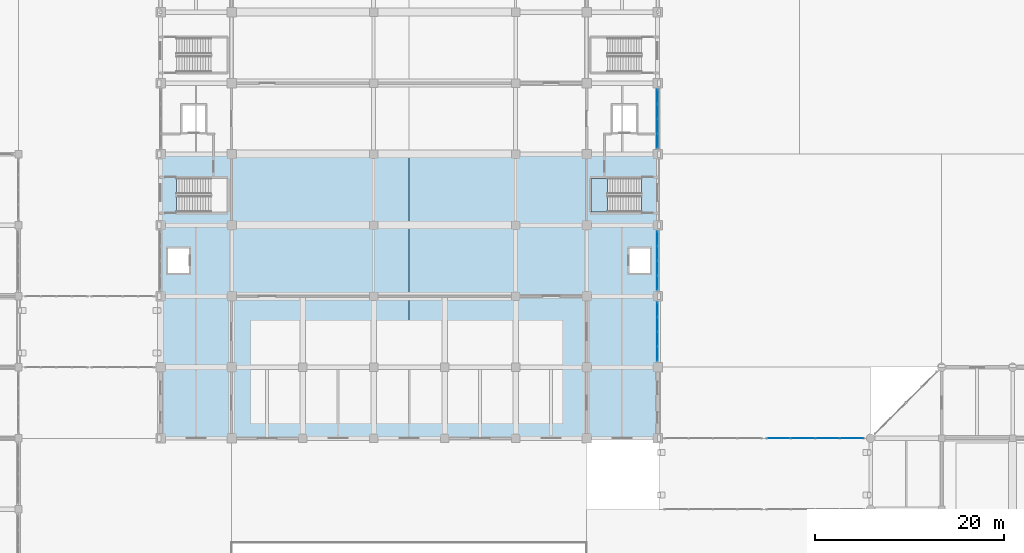
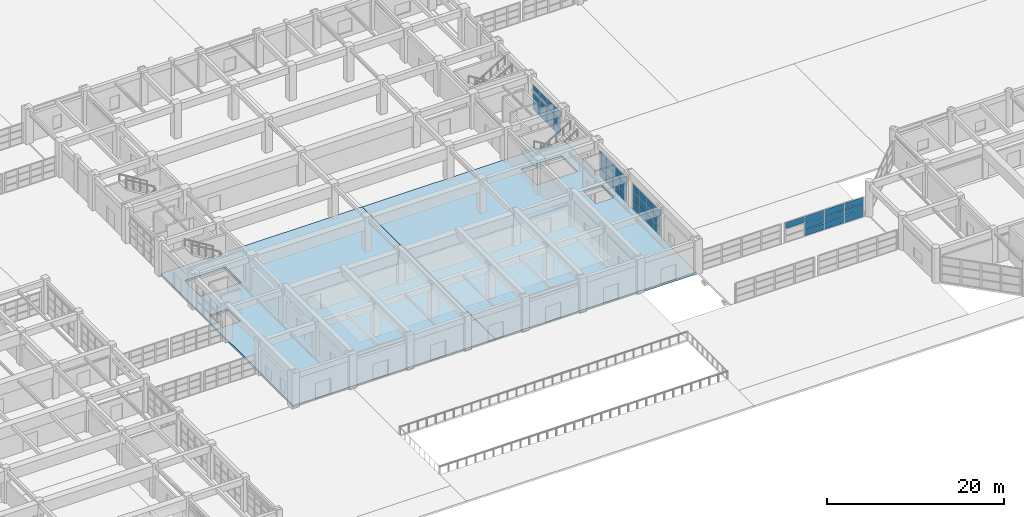
# One storey, part 75 of 122: 46 plates, 3 slabs, 5 elements without a shape of their own.
"""IFC4 building model written with IfcOpenShell, lengths in metres."""

from ifc_helpers import new_model, si_unit, direction, frame, origin, origin_2d, place, context, subcontext, project, spatial, polyline, rectangle, outline, extrude, material, layer, layer_set, type_object, element, aggregate, save


model = new_model("IFC4")

# Units and contexts
model_context = context("Model", 3, precision=1e-05, world=origin(), true_north=direction((0.0, 1.0)))
body_context = subcontext(model_context, "Body", "Model", "MODEL_VIEW")
ifc_project = project(units=[si_unit("LENGTHUNIT", "METRE"), si_unit("AREAUNIT", "SQUARE_METRE"), si_unit("VOLUMEUNIT", "CUBIC_METRE"), si_unit("PLANEANGLEUNIT", "RADIAN"), si_unit("MASSUNIT", "GRAM", prefix="KILO")], contexts=[model_context])

# Site, building, storey
site_placement = place(None, origin())
site = spatial("IfcSite", under=ifc_project, at=site_placement, CompositionType="ELEMENT")
building_placement = place(site_placement, origin())
building = spatial("IfcBuilding", under=site, at=building_placement, Name="Qasida Concert Hall", CompositionType="ELEMENT")
storey_placement = place(building_placement, origin())
storey = spatial("IfcBuildingStorey", under=building, at=storey_placement, Name="L00", CompositionType="ELEMENT", Elevation=0.0)

# Curtain wall, plates
ifc_material_1 = material(Name="Architectural bronze-anodized aluminium and low-E glass", Category="aluminium")
curtain_wall_type_1 = type_object("IfcCurtainWallType", Name="CW-01", PredefinedType="NOTDEFINED", material=ifc_material_1)
curtain_wall_1_placement = place(storey_placement, origin())
curtain_wall_1 = element("IfcCurtainWall", 1, at=curtain_wall_1_placement, inside=storey, type_object=curtain_wall_type_1, Name="L00 curtain wall CW-01 0036", PredefinedType="NOTDEFINED")
ifc_material_2 = material(Name="Solar-control low-E double glazing", Category="glass")
ifc_layer_1 = layer(ifc_material_2, 0.035888671875, Name="Solar-control low-E double glazing")
ifc_layer_set_1 = layer_set([ifc_layer_1], Name="Solar-control low-E double glazing")
plate_type_1 = type_object("IfcPlateType", Name="PLT-CWP-1", PredefinedType="CURTAIN_PANEL", material=ifc_layer_set_1)
plate_1_placement = place(storey_placement, frame((105.0, 31.419921875, 0.06494140625), z_axis=(0.0, 0.0, 1.0), x_axis=(0.0, 1.0, 0.0)))
plate_1 = element("IfcPlate", 2, at=plate_1_placement, type_object=plate_type_1, Name="CW-01 panel 1.1", PredefinedType="CURTAIN_PANEL", context=body_context, shape_type="SweptSolid", body=[
    extrude(rectangle(XDim=1.4599609375, YDim=0.035888671875, at=origin_2d()), origin(), (0.0, 0.0, 1.0), 1.092529296875),
])
plate_2_placement = place(storey_placement, frame((105.0, 31.419921875, 1.222412109375), z_axis=(0.0, 0.0, 1.0), x_axis=(0.0, 1.0, 0.0)))
plate_2 = element("IfcPlate", 3, at=plate_2_placement, type_object=plate_type_1, Name="CW-01 panel 1.2", PredefinedType="CURTAIN_PANEL", context=body_context, shape_type="SweptSolid", body=[
    extrude(rectangle(XDim=1.4599609375, YDim=0.035888671875, at=origin_2d()), origin(), (0.0, 0.0, 1.0), 1.125),
])
plate_3_placement = place(storey_placement, frame((105.0, 31.419921875, 2.41259765625), z_axis=(0.0, 0.0, 1.0), x_axis=(0.0, 1.0, 0.0)))
plate_3 = element("IfcPlate", 4, at=plate_3_placement, type_object=plate_type_1, Name="CW-01 panel 1.3", PredefinedType="CURTAIN_PANEL", context=body_context, shape_type="SweptSolid", body=[
    extrude(rectangle(XDim=1.4599609375, YDim=0.035888671875, at=origin_2d()), origin(), (0.0, 0.0, 1.0), 1.092529296875),
])
plate_4_placement = place(storey_placement, frame((105.0, 32.967529296875, 0.06494140625), z_axis=(0.0, 0.0, 1.0), x_axis=(0.0, 1.0, 0.0)))
plate_4 = element("IfcPlate", 5, at=plate_4_placement, type_object=plate_type_1, Name="CW-01 panel 2.1", PredefinedType="CURTAIN_PANEL", context=body_context, shape_type="SweptSolid", body=[
    extrude(rectangle(XDim=1.4951171875, YDim=0.035888671875, at=origin_2d()), origin(), (0.0, 0.0, 1.0), 1.092529296875),
])
plate_5_placement = place(storey_placement, frame((105.0, 32.967529296875, 1.222412109375), z_axis=(0.0, 0.0, 1.0), x_axis=(0.0, 1.0, 0.0)))
plate_5 = element("IfcPlate", 6, at=plate_5_placement, type_object=plate_type_1, Name="CW-01 panel 2.2", PredefinedType="CURTAIN_PANEL", context=body_context, shape_type="SweptSolid", body=[
    extrude(rectangle(XDim=1.4951171875, YDim=0.035888671875, at=origin_2d()), origin(), (0.0, 0.0, 1.0), 1.125),
])
plate_6_placement = place(storey_placement, frame((105.0, 32.967529296875, 2.41259765625), z_axis=(0.0, 0.0, 1.0), x_axis=(0.0, 1.0, 0.0)))
plate_6 = element("IfcPlate", 7, at=plate_6_placement, type_object=plate_type_1, Name="CW-01 panel 2.3", PredefinedType="CURTAIN_PANEL", context=body_context, shape_type="SweptSolid", body=[
    extrude(rectangle(XDim=1.4951171875, YDim=0.035888671875, at=origin_2d()), origin(), (0.0, 0.0, 1.0), 1.092529296875),
])
plate_7_placement = place(storey_placement, frame((105.0, 34.532470703125, 0.06494140625), z_axis=(0.0, 0.0, 1.0), x_axis=(0.0, 1.0, 0.0)))
plate_7 = element("IfcPlate", 8, at=plate_7_placement, type_object=plate_type_1, Name="CW-01 panel 3.1", PredefinedType="CURTAIN_PANEL", context=body_context, shape_type="SweptSolid", body=[
    extrude(rectangle(XDim=1.4951171875, YDim=0.035888671875, at=origin_2d()), origin(), (0.0, 0.0, 1.0), 1.092529296875),
])
plate_8_placement = place(storey_placement, frame((105.0, 34.532470703125, 1.222412109375), z_axis=(0.0, 0.0, 1.0), x_axis=(0.0, 1.0, 0.0)))
plate_8 = element("IfcPlate", 9, at=plate_8_placement, type_object=plate_type_1, Name="CW-01 panel 3.2", PredefinedType="CURTAIN_PANEL", context=body_context, shape_type="SweptSolid", body=[
    extrude(rectangle(XDim=1.4951171875, YDim=0.035888671875, at=origin_2d()), origin(), (0.0, 0.0, 1.0), 1.125),
])
plate_9_placement = place(storey_placement, frame((105.0, 34.532470703125, 2.41259765625), z_axis=(0.0, 0.0, 1.0), x_axis=(0.0, 1.0, 0.0)))
plate_9 = element("IfcPlate", 10, at=plate_9_placement, type_object=plate_type_1, Name="CW-01 panel 3.3", PredefinedType="CURTAIN_PANEL", context=body_context, shape_type="SweptSolid", body=[
    extrude(rectangle(XDim=1.4951171875, YDim=0.035888671875, at=origin_2d()), origin(), (0.0, 0.0, 1.0), 1.092529296875),
])
plate_10_placement = place(storey_placement, frame((105.0, 36.080078125, 0.06494140625), z_axis=(0.0, 0.0, 1.0), x_axis=(0.0, 1.0, 0.0)))
plate_10 = element("IfcPlate", 11, at=plate_10_placement, type_object=plate_type_1, Name="CW-01 panel 4.1", PredefinedType="CURTAIN_PANEL", context=body_context, shape_type="SweptSolid", body=[
    extrude(rectangle(XDim=1.4599609375, YDim=0.035888671875, at=origin_2d()), origin(), (0.0, 0.0, 1.0), 1.092529296875),
])
plate_11_placement = place(storey_placement, frame((105.0, 36.080078125, 1.222412109375), z_axis=(0.0, 0.0, 1.0), x_axis=(0.0, 1.0, 0.0)))
plate_11 = element("IfcPlate", 12, at=plate_11_placement, type_object=plate_type_1, Name="CW-01 panel 4.2", PredefinedType="CURTAIN_PANEL", context=body_context, shape_type="SweptSolid", body=[
    extrude(rectangle(XDim=1.4599609375, YDim=0.035888671875, at=origin_2d()), origin(), (0.0, 0.0, 1.0), 1.125),
])
plate_12_placement = place(storey_placement, frame((105.0, 36.080078125, 2.41259765625), z_axis=(0.0, 0.0, 1.0), x_axis=(0.0, 1.0, 0.0)))
plate_12 = element("IfcPlate", 13, at=plate_12_placement, type_object=plate_type_1, Name="CW-01 panel 4.3", PredefinedType="CURTAIN_PANEL", context=body_context, shape_type="SweptSolid", body=[
    extrude(rectangle(XDim=1.4599609375, YDim=0.035888671875, at=origin_2d()), origin(), (0.0, 0.0, 1.0), 1.092529296875),
])
aggregate(curtain_wall_1, [plate_1, plate_2, plate_3, plate_4, plate_5, plate_6, plate_7, plate_8, plate_9, plate_10, plate_11, plate_12])

curtain_wall_2_placement = place(storey_placement, origin())
curtain_wall_2 = element("IfcCurtainWall", 14, at=curtain_wall_2_placement, inside=storey, type_object=curtain_wall_type_1, Name="L00 curtain wall CW-01 0038", PredefinedType="NOTDEFINED")
plate_13_placement = place(storey_placement, frame((105.0, 38.919921875, 0.06494140625), z_axis=(0.0, 0.0, 1.0), x_axis=(0.0, 1.0, 0.0)))
plate_13 = element("IfcPlate", 15, at=plate_13_placement, type_object=plate_type_1, Name="CW-01 panel 1.1", PredefinedType="CURTAIN_PANEL", context=body_context, shape_type="SweptSolid", body=[
    extrude(rectangle(XDim=1.4599609375, YDim=0.035888671875, at=origin_2d()), origin(), (0.0, 0.0, 1.0), 1.092529296875),
])
plate_14_placement = place(storey_placement, frame((105.0, 38.919921875, 1.222412109375), z_axis=(0.0, 0.0, 1.0), x_axis=(0.0, 1.0, 0.0)))
plate_14 = element("IfcPlate", 16, at=plate_14_placement, type_object=plate_type_1, Name="CW-01 panel 1.2", PredefinedType="CURTAIN_PANEL", context=body_context, shape_type="SweptSolid", body=[
    extrude(rectangle(XDim=1.4599609375, YDim=0.035888671875, at=origin_2d()), origin(), (0.0, 0.0, 1.0), 1.125),
])
plate_15_placement = place(storey_placement, frame((105.0, 38.919921875, 2.41259765625), z_axis=(0.0, 0.0, 1.0), x_axis=(0.0, 1.0, 0.0)))
plate_15 = element("IfcPlate", 17, at=plate_15_placement, type_object=plate_type_1, Name="CW-01 panel 1.3", PredefinedType="CURTAIN_PANEL", context=body_context, shape_type="SweptSolid", body=[
    extrude(rectangle(XDim=1.4599609375, YDim=0.035888671875, at=origin_2d()), origin(), (0.0, 0.0, 1.0), 1.092529296875),
])
plate_16_placement = place(storey_placement, frame((105.0, 40.467529296875, 0.06494140625), z_axis=(0.0, 0.0, 1.0), x_axis=(0.0, 1.0, 0.0)))
plate_16 = element("IfcPlate", 18, at=plate_16_placement, type_object=plate_type_1, Name="CW-01 panel 2.1", PredefinedType="CURTAIN_PANEL", context=body_context, shape_type="SweptSolid", body=[
    extrude(rectangle(XDim=1.4951171875, YDim=0.035888671875, at=origin_2d()), origin(), (0.0, 0.0, 1.0), 1.092529296875),
])
plate_17_placement = place(storey_placement, frame((105.0, 40.467529296875, 1.222412109375), z_axis=(0.0, 0.0, 1.0), x_axis=(0.0, 1.0, 0.0)))
plate_17 = element("IfcPlate", 19, at=plate_17_placement, type_object=plate_type_1, Name="CW-01 panel 2.2", PredefinedType="CURTAIN_PANEL", context=body_context, shape_type="SweptSolid", body=[
    extrude(rectangle(XDim=1.4951171875, YDim=0.035888671875, at=origin_2d()), origin(), (0.0, 0.0, 1.0), 1.125),
])
plate_18_placement = place(storey_placement, frame((105.0, 40.467529296875, 2.41259765625), z_axis=(0.0, 0.0, 1.0), x_axis=(0.0, 1.0, 0.0)))
plate_18 = element("IfcPlate", 20, at=plate_18_placement, type_object=plate_type_1, Name="CW-01 panel 2.3", PredefinedType="CURTAIN_PANEL", context=body_context, shape_type="SweptSolid", body=[
    extrude(rectangle(XDim=1.4951171875, YDim=0.035888671875, at=origin_2d()), origin(), (0.0, 0.0, 1.0), 1.092529296875),
])
plate_19_placement = place(storey_placement, frame((105.0, 42.032470703125, 0.06494140625), z_axis=(0.0, 0.0, 1.0), x_axis=(0.0, 1.0, 0.0)))
plate_19 = element("IfcPlate", 21, at=plate_19_placement, type_object=plate_type_1, Name="CW-01 panel 3.1", PredefinedType="CURTAIN_PANEL", context=body_context, shape_type="SweptSolid", body=[
    extrude(rectangle(XDim=1.4951171875, YDim=0.035888671875, at=origin_2d()), origin(), (0.0, 0.0, 1.0), 1.092529296875),
])
plate_20_placement = place(storey_placement, frame((105.0, 42.032470703125, 1.222412109375), z_axis=(0.0, 0.0, 1.0), x_axis=(0.0, 1.0, 0.0)))
plate_20 = element("IfcPlate", 22, at=plate_20_placement, type_object=plate_type_1, Name="CW-01 panel 3.2", PredefinedType="CURTAIN_PANEL", context=body_context, shape_type="SweptSolid", body=[
    extrude(rectangle(XDim=1.4951171875, YDim=0.035888671875, at=origin_2d()), origin(), (0.0, 0.0, 1.0), 1.125),
])
plate_21_placement = place(storey_placement, frame((105.0, 42.032470703125, 2.41259765625), z_axis=(0.0, 0.0, 1.0), x_axis=(0.0, 1.0, 0.0)))
plate_21 = element("IfcPlate", 23, at=plate_21_placement, type_object=plate_type_1, Name="CW-01 panel 3.3", PredefinedType="CURTAIN_PANEL", context=body_context, shape_type="SweptSolid", body=[
    extrude(rectangle(XDim=1.4951171875, YDim=0.035888671875, at=origin_2d()), origin(), (0.0, 0.0, 1.0), 1.092529296875),
])
plate_22_placement = place(storey_placement, frame((105.0, 43.580078125, 0.06494140625), z_axis=(0.0, 0.0, 1.0), x_axis=(0.0, 1.0, 0.0)))
plate_22 = element("IfcPlate", 24, at=plate_22_placement, type_object=plate_type_1, Name="CW-01 panel 4.1", PredefinedType="CURTAIN_PANEL", context=body_context, shape_type="SweptSolid", body=[
    extrude(rectangle(XDim=1.4599609375, YDim=0.035888671875, at=origin_2d()), origin(), (0.0, 0.0, 1.0), 1.092529296875),
])
plate_23_placement = place(storey_placement, frame((105.0, 43.580078125, 1.222412109375), z_axis=(0.0, 0.0, 1.0), x_axis=(0.0, 1.0, 0.0)))
plate_23 = element("IfcPlate", 25, at=plate_23_placement, type_object=plate_type_1, Name="CW-01 panel 4.2", PredefinedType="CURTAIN_PANEL", context=body_context, shape_type="SweptSolid", body=[
    extrude(rectangle(XDim=1.4599609375, YDim=0.035888671875, at=origin_2d()), origin(), (0.0, 0.0, 1.0), 1.125),
])
plate_24_placement = place(storey_placement, frame((105.0, 43.580078125, 2.41259765625), z_axis=(0.0, 0.0, 1.0), x_axis=(0.0, 1.0, 0.0)))
plate_24 = element("IfcPlate", 26, at=plate_24_placement, type_object=plate_type_1, Name="CW-01 panel 4.3", PredefinedType="CURTAIN_PANEL", context=body_context, shape_type="SweptSolid", body=[
    extrude(rectangle(XDim=1.4599609375, YDim=0.035888671875, at=origin_2d()), origin(), (0.0, 0.0, 1.0), 1.092529296875),
])
aggregate(curtain_wall_2, [plate_13, plate_14, plate_15, plate_16, plate_17, plate_18, plate_19, plate_20, plate_21, plate_22, plate_23, plate_24])

curtain_wall_3_placement = place(storey_placement, origin())
curtain_wall_3 = element("IfcCurtainWall", 27, at=curtain_wall_3_placement, inside=storey, type_object=curtain_wall_type_1, Name="L00 curtain wall CW-01 0040", PredefinedType="NOTDEFINED")
plate_25_placement = place(storey_placement, frame((105.0, 53.919921875, 0.06494140625), z_axis=(0.0, 0.0, 1.0), x_axis=(0.0, 1.0, 0.0)))
plate_25 = element("IfcPlate", 28, at=plate_25_placement, type_object=plate_type_1, Name="CW-01 panel 1.1", PredefinedType="CURTAIN_PANEL", context=body_context, shape_type="SweptSolid", body=[
    extrude(rectangle(XDim=1.4599609375, YDim=0.035888671875, at=origin_2d()), origin(), (0.0, 0.0, 1.0), 1.092529296875),
])
plate_26_placement = place(storey_placement, frame((105.0, 53.919921875, 1.222412109375), z_axis=(0.0, 0.0, 1.0), x_axis=(0.0, 1.0, 0.0)))
plate_26 = element("IfcPlate", 29, at=plate_26_placement, type_object=plate_type_1, Name="CW-01 panel 1.2", PredefinedType="CURTAIN_PANEL", context=body_context, shape_type="SweptSolid", body=[
    extrude(rectangle(XDim=1.4599609375, YDim=0.035888671875, at=origin_2d()), origin(), (0.0, 0.0, 1.0), 1.125),
])
plate_27_placement = place(storey_placement, frame((105.0, 53.919921875, 2.41259765625), z_axis=(0.0, 0.0, 1.0), x_axis=(0.0, 1.0, 0.0)))
plate_27 = element("IfcPlate", 30, at=plate_27_placement, type_object=plate_type_1, Name="CW-01 panel 1.3", PredefinedType="CURTAIN_PANEL", context=body_context, shape_type="SweptSolid", body=[
    extrude(rectangle(XDim=1.4599609375, YDim=0.035888671875, at=origin_2d()), origin(), (0.0, 0.0, 1.0), 1.092529296875),
])
plate_28_placement = place(storey_placement, frame((105.0, 55.467529296875, 0.06494140625), z_axis=(0.0, 0.0, 1.0), x_axis=(0.0, 1.0, 0.0)))
plate_28 = element("IfcPlate", 31, at=plate_28_placement, type_object=plate_type_1, Name="CW-01 panel 2.1", PredefinedType="CURTAIN_PANEL", context=body_context, shape_type="SweptSolid", body=[
    extrude(rectangle(XDim=1.4951171875, YDim=0.035888671875, at=origin_2d()), origin(), (0.0, 0.0, 1.0), 1.092529296875),
])
plate_29_placement = place(storey_placement, frame((105.0, 55.467529296875, 1.222412109375), z_axis=(0.0, 0.0, 1.0), x_axis=(0.0, 1.0, 0.0)))
plate_29 = element("IfcPlate", 32, at=plate_29_placement, type_object=plate_type_1, Name="CW-01 panel 2.2", PredefinedType="CURTAIN_PANEL", context=body_context, shape_type="SweptSolid", body=[
    extrude(rectangle(XDim=1.4951171875, YDim=0.035888671875, at=origin_2d()), origin(), (0.0, 0.0, 1.0), 1.125),
])
plate_30_placement = place(storey_placement, frame((105.0, 55.467529296875, 2.41259765625), z_axis=(0.0, 0.0, 1.0), x_axis=(0.0, 1.0, 0.0)))
plate_30 = element("IfcPlate", 33, at=plate_30_placement, type_object=plate_type_1, Name="CW-01 panel 2.3", PredefinedType="CURTAIN_PANEL", context=body_context, shape_type="SweptSolid", body=[
    extrude(rectangle(XDim=1.4951171875, YDim=0.035888671875, at=origin_2d()), origin(), (0.0, 0.0, 1.0), 1.092529296875),
])
plate_31_placement = place(storey_placement, frame((105.0, 57.032470703125, 0.06494140625), z_axis=(0.0, 0.0, 1.0), x_axis=(0.0, 1.0, 0.0)))
plate_31 = element("IfcPlate", 34, at=plate_31_placement, type_object=plate_type_1, Name="CW-01 panel 3.1", PredefinedType="CURTAIN_PANEL", context=body_context, shape_type="SweptSolid", body=[
    extrude(rectangle(XDim=1.4951171875, YDim=0.035888671875, at=origin_2d()), origin(), (0.0, 0.0, 1.0), 1.092529296875),
])
plate_32_placement = place(storey_placement, frame((105.0, 57.032470703125, 1.222412109375), z_axis=(0.0, 0.0, 1.0), x_axis=(0.0, 1.0, 0.0)))
plate_32 = element("IfcPlate", 35, at=plate_32_placement, type_object=plate_type_1, Name="CW-01 panel 3.2", PredefinedType="CURTAIN_PANEL", context=body_context, shape_type="SweptSolid", body=[
    extrude(rectangle(XDim=1.4951171875, YDim=0.035888671875, at=origin_2d()), origin(), (0.0, 0.0, 1.0), 1.125),
])
plate_33_placement = place(storey_placement, frame((105.0, 57.032470703125, 2.41259765625), z_axis=(0.0, 0.0, 1.0), x_axis=(0.0, 1.0, 0.0)))
plate_33 = element("IfcPlate", 36, at=plate_33_placement, type_object=plate_type_1, Name="CW-01 panel 3.3", PredefinedType="CURTAIN_PANEL", context=body_context, shape_type="SweptSolid", body=[
    extrude(rectangle(XDim=1.4951171875, YDim=0.035888671875, at=origin_2d()), origin(), (0.0, 0.0, 1.0), 1.092529296875),
])
plate_34_placement = place(storey_placement, frame((105.0, 58.580078125, 0.06494140625), z_axis=(0.0, 0.0, 1.0), x_axis=(0.0, 1.0, 0.0)))
plate_34 = element("IfcPlate", 37, at=plate_34_placement, type_object=plate_type_1, Name="CW-01 panel 4.1", PredefinedType="CURTAIN_PANEL", context=body_context, shape_type="SweptSolid", body=[
    extrude(rectangle(XDim=1.4599609375, YDim=0.035888671875, at=origin_2d()), origin(), (0.0, 0.0, 1.0), 1.092529296875),
])
plate_35_placement = place(storey_placement, frame((105.0, 58.580078125, 1.222412109375), z_axis=(0.0, 0.0, 1.0), x_axis=(0.0, 1.0, 0.0)))
plate_35 = element("IfcPlate", 38, at=plate_35_placement, type_object=plate_type_1, Name="CW-01 panel 4.2", PredefinedType="CURTAIN_PANEL", context=body_context, shape_type="SweptSolid", body=[
    extrude(rectangle(XDim=1.4599609375, YDim=0.035888671875, at=origin_2d()), origin(), (0.0, 0.0, 1.0), 1.125),
])
plate_36_placement = place(storey_placement, frame((105.0, 58.580078125, 2.41259765625), z_axis=(0.0, 0.0, 1.0), x_axis=(0.0, 1.0, 0.0)))
plate_36 = element("IfcPlate", 39, at=plate_36_placement, type_object=plate_type_1, Name="CW-01 panel 4.3", PredefinedType="CURTAIN_PANEL", context=body_context, shape_type="SweptSolid", body=[
    extrude(rectangle(XDim=1.4599609375, YDim=0.035888671875, at=origin_2d()), origin(), (0.0, 0.0, 1.0), 1.092529296875),
])
aggregate(curtain_wall_3, [plate_25, plate_26, plate_27, plate_28, plate_29, plate_30, plate_31, plate_32, plate_33, plate_34, plate_35, plate_36])

curtain_wall_type_2 = type_object("IfcCurtainWallType", Name="CW-07", PredefinedType="NOTDEFINED", material=ifc_material_1)
curtain_wall_4_placement = place(storey_placement, origin())
curtain_wall_4 = element("IfcCurtainWall", 40, at=curtain_wall_4_placement, inside=storey, type_object=curtain_wall_type_2, Name="L00 link bridge glazing 0233", PredefinedType="NOTDEFINED")
ifc_layer_2 = layer(ifc_material_2, 0.031982421875, Name="Solar-control low-E double glazing")
ifc_layer_set_2 = layer_set([ifc_layer_2], Name="Solar-control low-E double glazing")
plate_type_2 = type_object("IfcPlateType", Name="PLT-CWP-2", PredefinedType="CURTAIN_PANEL", material=ifc_layer_set_2)
plate_37_placement = place(storey_placement, frame((117.8037109375, 22.5, 1.929931640625), z_axis=(0.0, 0.0, 1.0), x_axis=(1.0, 0.0, 0.0)))
plate_37 = element("IfcPlate", 41, at=plate_37_placement, type_object=plate_type_2, Name="CW-07 panel 1.3", PredefinedType="CURTAIN_PANEL", context=body_context, shape_type="SweptSolid", body=[
    extrude(rectangle(XDim=2.4775390625, YDim=0.031982421875, at=origin_2d()), origin(), (0.0, 0.0, 1.0), 0.81005859375),
])
plate_38_placement = place(storey_placement, frame((120.362548828125, 22.5, 0.06005859375), z_axis=(0.0, 0.0, 1.0), x_axis=(1.0, 0.0, 0.0)))
plate_38 = element("IfcPlate", 42, at=plate_38_placement, type_object=plate_type_2, Name="CW-07 panel 2.1", PredefinedType="CURTAIN_PANEL", context=body_context, shape_type="SweptSolid", body=[
    extrude(rectangle(XDim=2.510009765625, YDim=0.031982421875, at=origin_2d()), origin(), (0.0, 0.0, 1.0), 0.860107421875),
])
plate_39_placement = place(storey_placement, frame((120.362548828125, 22.5, 0.97998046875), z_axis=(0.0, 0.0, 1.0), x_axis=(1.0, 0.0, 0.0)))
plate_39 = element("IfcPlate", 43, at=plate_39_placement, type_object=plate_type_2, Name="CW-07 panel 2.2", PredefinedType="CURTAIN_PANEL", context=body_context, shape_type="SweptSolid", body=[
    extrude(rectangle(XDim=2.510009765625, YDim=0.031982421875, at=origin_2d()), origin(), (0.0, 0.0, 1.0), 0.889892578125),
])
plate_40_placement = place(storey_placement, frame((120.362548828125, 22.5, 1.929931640625), z_axis=(0.0, 0.0, 1.0), x_axis=(1.0, 0.0, 0.0)))
plate_40 = element("IfcPlate", 44, at=plate_40_placement, type_object=plate_type_2, Name="CW-07 panel 2.3", PredefinedType="CURTAIN_PANEL", context=body_context, shape_type="SweptSolid", body=[
    extrude(rectangle(XDim=2.510009765625, YDim=0.031982421875, at=origin_2d()), origin(), (0.0, 0.0, 1.0), 0.81005859375),
])
plate_41_placement = place(storey_placement, frame((122.9375, 22.5, 0.06005859375), z_axis=(0.0, 0.0, 1.0), x_axis=(1.0, 0.0, 0.0)))
plate_41 = element("IfcPlate", 45, at=plate_41_placement, type_object=plate_type_2, Name="CW-07 panel 3.1", PredefinedType="CURTAIN_PANEL", context=body_context, shape_type="SweptSolid", body=[
    extrude(rectangle(XDim=2.510009765625, YDim=0.031982421875, at=origin_2d()), origin(), (0.0, 0.0, 1.0), 0.860107421875),
])
plate_42_placement = place(storey_placement, frame((122.9375, 22.5, 0.97998046875), z_axis=(0.0, 0.0, 1.0), x_axis=(1.0, 0.0, 0.0)))
plate_42 = element("IfcPlate", 46, at=plate_42_placement, type_object=plate_type_2, Name="CW-07 panel 3.2", PredefinedType="CURTAIN_PANEL", context=body_context, shape_type="SweptSolid", body=[
    extrude(rectangle(XDim=2.510009765625, YDim=0.031982421875, at=origin_2d()), origin(), (0.0, 0.0, 1.0), 0.889892578125),
])
plate_43_placement = place(storey_placement, frame((122.9375, 22.5, 1.929931640625), z_axis=(0.0, 0.0, 1.0), x_axis=(1.0, 0.0, 0.0)))
plate_43 = element("IfcPlate", 47, at=plate_43_placement, type_object=plate_type_2, Name="CW-07 panel 3.3", PredefinedType="CURTAIN_PANEL", context=body_context, shape_type="SweptSolid", body=[
    extrude(rectangle(XDim=2.510009765625, YDim=0.031982421875, at=origin_2d()), origin(), (0.0, 0.0, 1.0), 0.81005859375),
])
plate_44_placement = place(storey_placement, frame((125.496337890625, 22.5, 0.06005859375), z_axis=(0.0, 0.0, 1.0), x_axis=(1.0, 0.0, 0.0)))
plate_44 = element("IfcPlate", 48, at=plate_44_placement, type_object=plate_type_2, Name="CW-07 panel 4.1", PredefinedType="CURTAIN_PANEL", context=body_context, shape_type="SweptSolid", body=[
    extrude(rectangle(XDim=2.4775390625, YDim=0.031982421875, at=origin_2d()), origin(), (0.0, 0.0, 1.0), 0.860107421875),
])
plate_45_placement = place(storey_placement, frame((125.496337890625, 22.5, 0.97998046875), z_axis=(0.0, 0.0, 1.0), x_axis=(1.0, 0.0, 0.0)))
plate_45 = element("IfcPlate", 49, at=plate_45_placement, type_object=plate_type_2, Name="CW-07 panel 4.2", PredefinedType="CURTAIN_PANEL", context=body_context, shape_type="SweptSolid", body=[
    extrude(rectangle(XDim=2.4775390625, YDim=0.031982421875, at=origin_2d()), origin(), (0.0, 0.0, 1.0), 0.889892578125),
])
plate_46_placement = place(storey_placement, frame((125.496337890625, 22.5, 1.929931640625), z_axis=(0.0, 0.0, 1.0), x_axis=(1.0, 0.0, 0.0)))
plate_46 = element("IfcPlate", 50, at=plate_46_placement, type_object=plate_type_2, Name="CW-07 panel 4.3", PredefinedType="CURTAIN_PANEL", context=body_context, shape_type="SweptSolid", body=[
    extrude(rectangle(XDim=2.4775390625, YDim=0.031982421875, at=origin_2d()), origin(), (0.0, 0.0, 1.0), 0.81005859375),
])
aggregate(curtain_wall_4, [plate_37, plate_38, plate_39, plate_40, plate_41, plate_42, plate_43, plate_44, plate_45, plate_46])

# Slabs
ifc_material_3 = material(Name="Concrete C40/50", Category="concrete")
ifc_layer_3 = layer(ifc_material_3, 0.280029296875, Name="Concrete C40/50")
ifc_layer_set_3 = layer_set([ifc_layer_3], Name="Concrete C40/50")
slab_type_1 = type_object("IfcSlabType", Name="SL-FS-280", PredefinedType="FLOOR", material=ifc_layer_set_3)
slab_1_placement = place(storey_placement, frame((0.0, 0.0, -0.280029296875)))
element("IfcSlab", 51, at=slab_1_placement, inside=storey, type_object=slab_type_1, Name="V1 ground south-west (FS-280)", PredefinedType="FLOOR", context=body_context, shape_type="SweptSolid", body=[
    extrude(outline(polyline([(52.5, 22.5), (78.75, 22.5), (78.75, 52.5), (52.5, 52.5), (52.5, 22.5)]), holes=[polyline([(53.199951171875, 39.85009765625), (55.60009765625, 39.85009765625), (55.60009765625, 42.64990234375), (53.199951171875, 42.64990234375), (53.199951171875, 39.85009765625)]), polyline([(54.18994140625, 46.39990234375), (59.52001953125, 46.39990234375), (59.52001953125, 49.9599609375), (54.18994140625, 49.9599609375), (54.18994140625, 46.39990234375)])]), origin(), (0.0, 0.0, 1.0), 0.280029296875),
])
slab_2_placement = place(storey_placement, frame((0.0, 0.0, -0.280029296875)))
element("IfcSlab", 52, at=slab_2_placement, inside=storey, type_object=slab_type_1, Name="V1 ground south-east (FS-280)", PredefinedType="FLOOR", context=body_context, shape_type="SweptSolid", body=[
    extrude(outline(polyline([(78.75, 22.5), (105.0, 22.5), (105.0, 52.5), (78.75, 52.5), (78.75, 22.5)]), holes=[polyline([(101.89990234375, 39.85009765625), (104.300048828125, 39.85009765625), (104.300048828125, 42.64990234375), (101.89990234375, 42.64990234375), (101.89990234375, 39.85009765625)]), polyline([(97.97998046875, 46.39990234375), (103.31005859375, 46.39990234375), (103.31005859375, 49.9599609375), (97.97998046875, 49.9599609375), (97.97998046875, 46.39990234375)])]), origin(), (0.0, 0.0, 1.0), 0.280029296875),
])

# Stair, slab
stair_type = type_object("IfcStairType", Name="ST-DL-168", PredefinedType="HALF_TURN_STAIR", material=ifc_material_3)
stair_placement = place(storey_placement, origin())
stair = element("IfcStair", 53, at=stair_placement, inside=storey, type_object=stair_type, Name="L00 Exit stair ST-02", PredefinedType="HALF_TURN_STAIR")
ifc_layer_4 = layer(ifc_material_3, 0.199951171875, Name="Concrete C40/50")
ifc_layer_set_4 = layer_set([ifc_layer_4], Name="Concrete C40/50")
slab_type_2 = type_object("IfcSlabType", Name="SL-LND-200", PredefinedType="LANDING", material=ifc_layer_set_4)
slab_3_placement = place(storey_placement, frame((0.0, 0.0, 2.199951171875)))
slab_3 = element("IfcSlab", 54, at=slab_3_placement, type_object=slab_type_2, Name="ST-02 landing 1", PredefinedType="LANDING", context=body_context, shape_type="SweptSolid", body=[
    extrude(outline(polyline([(99.679931640625, 49.9599609375), (97.97998046875, 49.9599609375), (97.97998046875, 46.39990234375), (99.679931640625, 46.39990234375), (99.679931640625, 49.9599609375)])), origin(), (0.0, 0.0, 1.0), 0.199951171875),
])
aggregate(stair, [slab_3])

save(model, "model.ifc")
